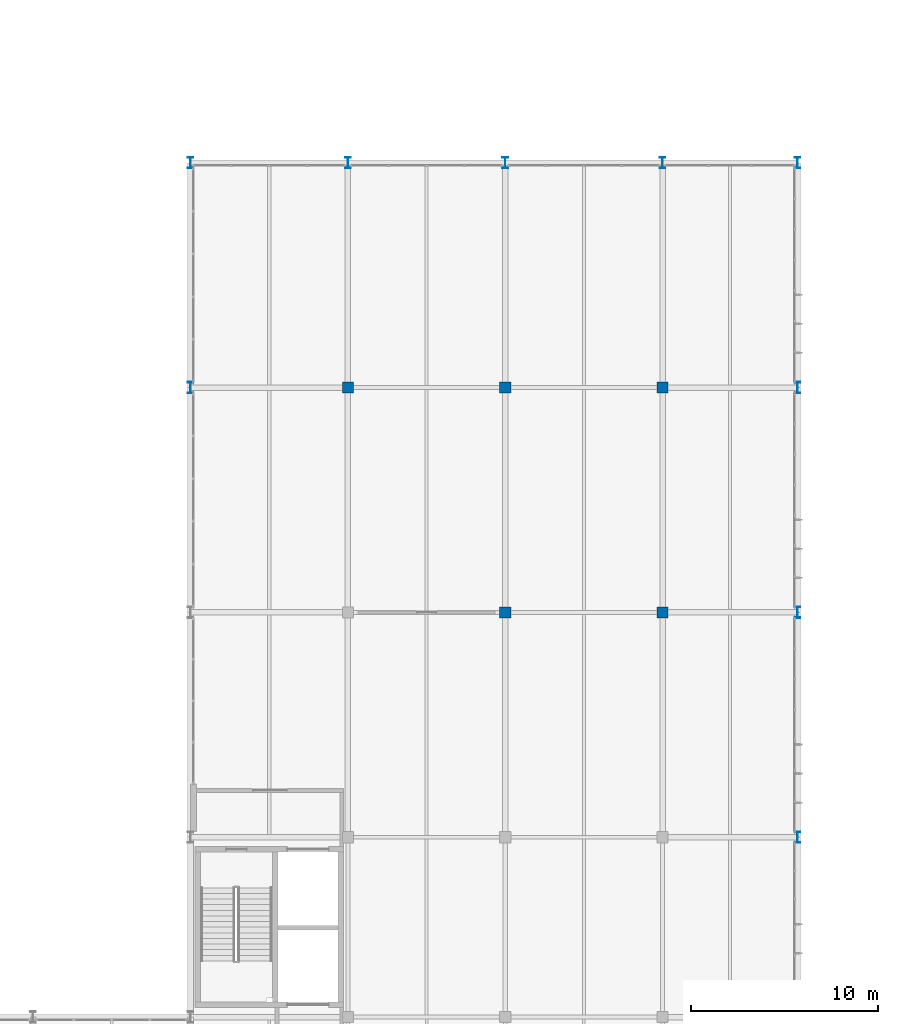
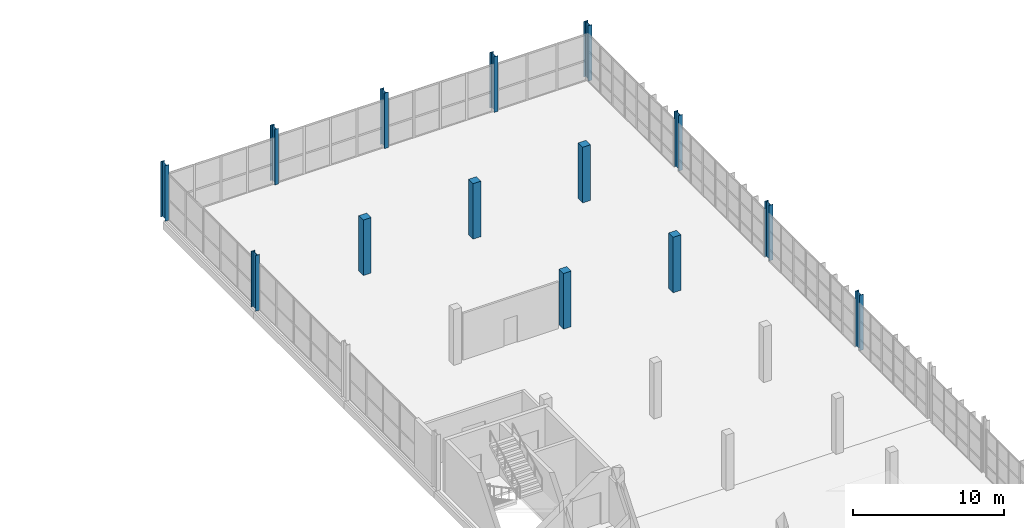
# One storey, part 10 of 130: 14 columns.
"""IFC4 building model written with IfcOpenShell, lengths in metres."""

from ifc_helpers import new_model, si_unit, direction, frame, origin, origin_2d, place, context, subcontext, project, spatial, rectangle, i_section, extrude, material, material_profile, profile_set, type_object, element, save


model = new_model("IFC4")

# Units and contexts
model_context = context("Model", 3, precision=1e-05, world=origin(), true_north=direction((0.0, 1.0)))
body_context = subcontext(model_context, "Body", "Model", "MODEL_VIEW")
ifc_project = project(units=[si_unit("LENGTHUNIT", "METRE"), si_unit("AREAUNIT", "SQUARE_METRE"), si_unit("VOLUMEUNIT", "CUBIC_METRE"), si_unit("PLANEANGLEUNIT", "RADIAN"), si_unit("MASSUNIT", "GRAM", prefix="KILO")], contexts=[model_context])

# Site, building, storey
site_placement = place(None, origin())
site = spatial("IfcSite", under=ifc_project, at=site_placement, CompositionType="ELEMENT")
building_placement = place(site_placement, origin())
building = spatial("IfcBuilding", under=site, at=building_placement, Name="Veltarok Museum of Natural Sciences", CompositionType="ELEMENT")
storey_placement = place(building_placement, frame((0.0, 0.0, 12.89990234375)))
storey = spatial("IfcBuildingStorey", under=building, at=storey_placement, Name="L02", CompositionType="ELEMENT", Elevation=12.89990234375)

# Columns
ifc_material_1 = material(Name="Concrete C40/50", Category="concrete")
ifc_material_profile_1 = material_profile(ifc_material_1, rectangle(XDim=0.60009765625, YDim=0.60009765625, at=origin_2d()), Name="RC 600x600")
ifc_profile_set_1 = profile_set([ifc_material_profile_1], Name="Concrete C40/50")
column_type_1 = type_object("IfcColumnType", Name="Conservation Wing Column RC 600x600", PredefinedType="COLUMN", material=ifc_profile_set_1)
for number, where, z_axis, x_axis, name in (
    (1, (140.800048828125, 60.0, 0.0), (0.0, 0.0, 1.0), (1.0, 0.0, 0.0), "Column COL-RC02 L02 17/G"),
    (2, (149.199951171875, 48.0, 0.0), (0.0, 0.0, 1.0), (1.0, 0.0, 0.0), "Column COL-RC02 L02 18/F"),
    (3, (149.199951171875, 60.0, 0.0), (0.0, 0.0, 1.0), (1.0, 0.0, 0.0), "Column COL-RC02 L02 18/G"),
    (4, (157.60009765625, 48.0, 0.0), (0.0, 0.0, 1.0), (1.0, 0.0, 0.0), "Column COL-RC02 L02 19/F"),
    (5, (157.60009765625, 60.0, 0.0), (0.0, 0.0, 1.0), (1.0, 0.0, 0.0), "Column COL-RC02 L02 19/G"),
):
    element("IfcColumn", number, at=place(storey_placement, frame(where, z_axis=z_axis, x_axis=x_axis)), inside=storey, type_object=column_type_1, Name=name, PredefinedType="COLUMN", context=body_context, shape_type="SweptSolid", body=[
        extrude(rectangle(XDim=0.60009765625, YDim=0.60009765625, at=origin_2d()), origin(), (0.0, 0.0, 1.0), 4.5),
    ])
ifc_material_2 = material(Name="Steel S355J2", Category="steel")
ifc_material_profile_2 = material_profile(ifc_material_2, i_section(OverallWidth=0.300048828125, OverallDepth=0.60009765625, WebThickness=0.015380859375, FlangeThickness=0.030029296875, FilletRadius=0.027099609375, at=origin_2d()), Name="HEB 600")
ifc_profile_set_2 = profile_set([ifc_material_profile_2], Name="Steel S355J2")
column_type_2 = type_object("IfcColumnType", Name="Perimeter Passage Column HEB 600", PredefinedType="COLUMN", material=ifc_profile_set_2)
for number, where, z_axis, x_axis, name in (
    (6, (132.39990234375, 60.0, 0.0), (0.0, 0.0, 1.0), (1.0, 0.0, 0.0), "Column COL-EXT02 L02 16/G"),
    (7, (132.39990234375, 72.0, 0.0), (0.0, 0.0, 1.0), (1.0, 0.0, 0.0), "Column COL-EXT02 L02 16/H"),
    (8, (140.800048828125, 72.0, 0.0), (0.0, 0.0, 1.0), (1.0, 0.0, 0.0), "Column COL-EXT02 L02 17/H"),
    (9, (149.199951171875, 72.0, 0.0), (0.0, 0.0, 1.0), (1.0, 0.0, 0.0), "Column COL-EXT02 L02 18/H"),
    (10, (157.60009765625, 72.0, 0.0), (0.0, 0.0, 1.0), (1.0, 0.0, 0.0), "Column COL-EXT02 L02 19/H"),
    (11, (164.800048828125, 36.0, 0.0), (0.0, 0.0, 1.0), (1.0, 0.0, 0.0), "Column COL-EXT02 L02 20/E"),
    (12, (164.800048828125, 48.0, 0.0), (0.0, 0.0, 1.0), (1.0, 0.0, 0.0), "Column COL-EXT02 L02 20/F"),
    (13, (164.800048828125, 60.0, 0.0), (0.0, 0.0, 1.0), (1.0, 0.0, 0.0), "Column COL-EXT02 L02 20/G"),
    (14, (164.800048828125, 72.0, 0.0), (0.0, 0.0, 1.0), (1.0, 0.0, 0.0), "Column COL-EXT02 L02 20/H"),
):
    element("IfcColumn", number, at=place(storey_placement, frame(where, z_axis=z_axis, x_axis=x_axis)), inside=storey, type_object=column_type_2, Name=name, PredefinedType="COLUMN", context=body_context, shape_type="SweptSolid", body=[
        extrude(i_section(OverallWidth=0.300048828125, OverallDepth=0.60009765625, WebThickness=0.015380859375, FlangeThickness=0.030029296875, FilletRadius=0.027099609375, at=origin_2d()), origin(), (0.0, 0.0, 1.0), 4.5),
    ])

save(model, "model.ifc")
